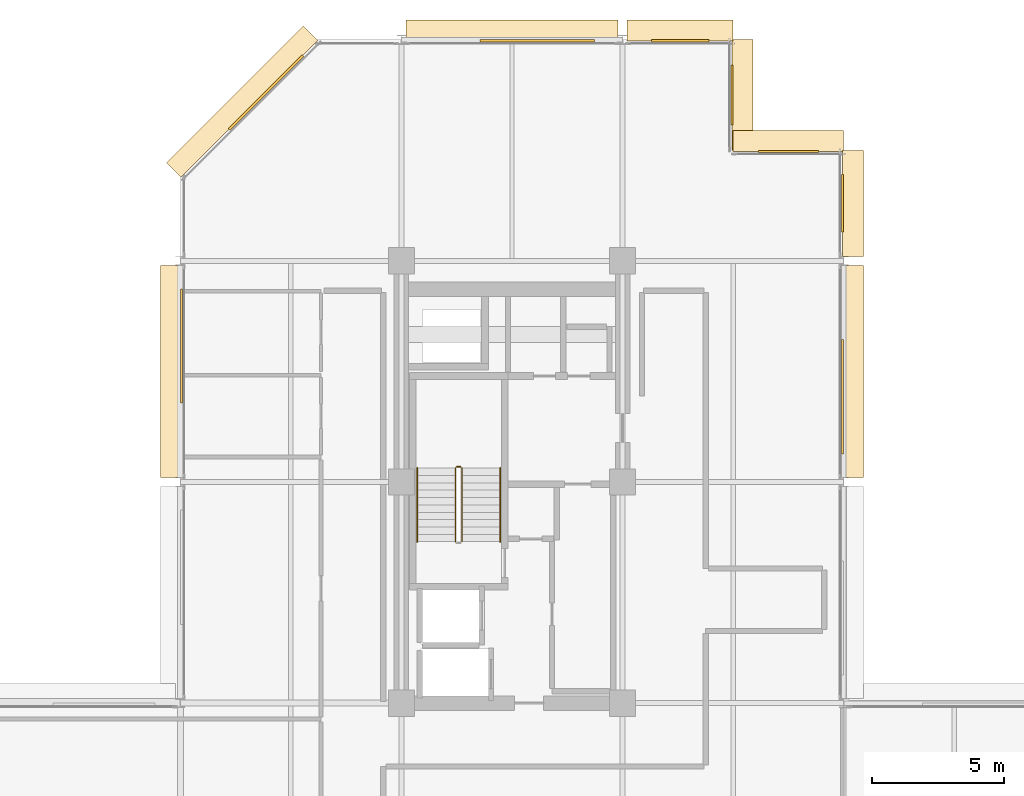
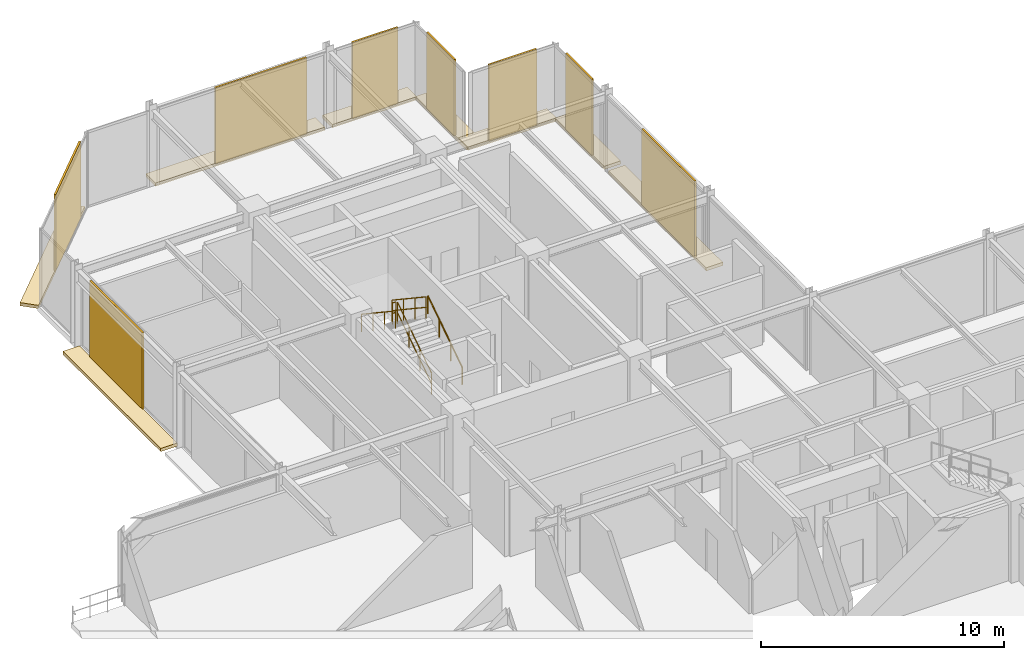
# One storey, part 29 of 29: 16 coverings, 5 railings.
"""IFC4 building model written with IfcOpenShell, lengths in metres."""

from ifc_helpers import new_model, si_unit, direction, frame, origin, origin_2d, place, context, subcontext, project, spatial, polyline, rectangle, circle, outline, extrude, material, layer, layer_set, type_object, element, save


model = new_model("IFC4")

# Units and contexts
model_context = context("Model", 3, precision=1e-05, world=origin(), true_north=direction((0.0, 1.0)))
body_context = subcontext(model_context, "Body", "Model", "MODEL_VIEW")
ifc_project = project(units=[si_unit("LENGTHUNIT", "METRE"), si_unit("AREAUNIT", "SQUARE_METRE"), si_unit("VOLUMEUNIT", "CUBIC_METRE"), si_unit("PLANEANGLEUNIT", "RADIAN"), si_unit("MASSUNIT", "GRAM", prefix="KILO")], contexts=[model_context])

# Site, building, storey
site_placement = place(None, origin())
site = spatial("IfcSite", under=ifc_project, at=site_placement, CompositionType="ELEMENT")
building_placement = place(site_placement, origin())
building = spatial("IfcBuilding", under=site, at=building_placement, Name="Nerrivon Quay Data Exchange", CompositionType="ELEMENT")
storey_placement = place(building_placement, frame((0.0, 0.0, 191.89990234375)))
storey = spatial("IfcBuildingStorey", under=building, at=storey_placement, Name="L45", CompositionType="ELEMENT", Elevation=191.89990234375)

# Coverings
ifc_material_1 = material(Name="Architectural terracotta ceramic", Category="masonry")
ifc_layer_1 = layer(ifc_material_1, 0.159912109375)
ifc_layer_set_1 = layer_set([ifc_layer_1], Name="Architectural terracotta ceramic")
covering_type_1 = type_object("IfcCoveringType", Name="COV-BLD-TERR", PredefinedType="CLADDING", material=ifc_layer_set_1)
covering_1_placement = place(storey_placement, frame((0.0, 0.0, -0.159912109375)))
element("IfcCovering", 1, at=covering_1_placement, inside=storey, type_object=covering_type_1, Name="L45 Horizontal Terracotta SOLAR SCREEN Blade", PredefinedType="CLADDING", context=body_context, shape_type="SweptSolid", body=[
    extrude(outline(polyline([(0.0400390625, 33.77490234375), (0.0400390625, 41.824951171875), (-0.75, 41.824951171875), (-0.75, 33.77490234375), (0.0400390625, 33.77490234375)])), origin(), (0.0, 0.0, 1.0), 0.159912109375),
])
covering_2_placement = place(storey_placement, frame((0.0, 0.0, -0.159912109375)))
element("IfcCovering", 2, at=covering_2_placement, inside=storey, type_object=covering_type_1, Name="L45 Horizontal Terracotta SOLAR SCREEN Blade", PredefinedType="CLADDING", context=body_context, shape_type="SweptSolid", body=[
    extrude(outline(polyline([(0.0283203125, 45.171630859375), (5.228271484375, 50.37158203125), (4.669677734375, 50.930419921875), (-0.5302734375, 45.730224609375), (0.0283203125, 45.171630859375)])), origin(), (0.0, 0.0, 1.0), 0.159912109375),
])
covering_3_placement = place(storey_placement, frame((0.0, 0.0, -0.159912109375)))
element("IfcCovering", 3, at=covering_3_placement, inside=storey, type_object=covering_type_1, Name="L45 Horizontal Terracotta SOLAR SCREEN Blade", PredefinedType="CLADDING", context=body_context, shape_type="SweptSolid", body=[
    extrude(outline(polyline([(8.574951171875, 50.360107421875), (16.625, 50.360107421875), (16.625, 51.14990234375), (8.574951171875, 51.14990234375), (8.574951171875, 50.360107421875)])), origin(), (0.0, 0.0, 1.0), 0.159912109375),
])
covering_4_placement = place(storey_placement, frame((0.0, 0.0, -0.159912109375)))
element("IfcCovering", 4, at=covering_4_placement, inside=storey, type_object=covering_type_1, Name="L45 Horizontal Terracotta SOLAR SCREEN Blade", PredefinedType="CLADDING", context=body_context, shape_type="SweptSolid", body=[
    extrude(outline(polyline([(16.97509765625, 50.360107421875), (21.0, 50.360107421875), (21.0, 51.14990234375), (16.97509765625, 51.14990234375), (16.97509765625, 50.360107421875)])), origin(), (0.0, 0.0, 1.0), 0.159912109375),
])
covering_5_placement = place(storey_placement, frame((0.0, 0.0, -0.159912109375)))
element("IfcCovering", 5, at=covering_5_placement, inside=storey, type_object=covering_type_1, Name="L45 Horizontal Terracotta SOLAR SCREEN Blade", PredefinedType="CLADDING", context=body_context, shape_type="SweptSolid", body=[
    extrude(outline(polyline([(20.9599609375, 50.39990234375), (20.9599609375, 46.199951171875), (21.75, 46.199951171875), (21.75, 50.39990234375), (20.9599609375, 50.39990234375)])), origin(), (0.0, 0.0, 1.0), 0.159912109375),
])
covering_6_placement = place(storey_placement, frame((0.0, 0.0, -0.159912109375)))
element("IfcCovering", 6, at=covering_6_placement, inside=storey, type_object=covering_type_1, Name="L45 Horizontal Terracotta SOLAR SCREEN Blade", PredefinedType="CLADDING", context=body_context, shape_type="SweptSolid", body=[
    extrude(outline(polyline([(21.0, 46.159912109375), (25.199951171875, 46.159912109375), (25.199951171875, 46.949951171875), (21.0, 46.949951171875), (21.0, 46.159912109375)])), origin(), (0.0, 0.0, 1.0), 0.159912109375),
])
covering_7_placement = place(storey_placement, frame((0.0, 0.0, -0.159912109375)))
element("IfcCovering", 7, at=covering_7_placement, inside=storey, type_object=covering_type_1, Name="L45 Horizontal Terracotta SOLAR SCREEN Blade", PredefinedType="CLADDING", context=body_context, shape_type="SweptSolid", body=[
    extrude(outline(polyline([(25.159912109375, 46.199951171875), (25.159912109375, 42.175048828125), (25.949951171875, 42.175048828125), (25.949951171875, 46.199951171875), (25.159912109375, 46.199951171875)])), origin(), (0.0, 0.0, 1.0), 0.159912109375),
])
covering_8_placement = place(storey_placement, frame((0.0, 0.0, -0.159912109375)))
element("IfcCovering", 8, at=covering_8_placement, inside=storey, type_object=covering_type_1, Name="L45 Horizontal Terracotta SOLAR SCREEN Blade", PredefinedType="CLADDING", context=body_context, shape_type="SweptSolid", body=[
    extrude(outline(polyline([(25.159912109375, 41.824951171875), (25.159912109375, 33.77490234375), (25.949951171875, 33.77490234375), (25.949951171875, 41.824951171875), (25.159912109375, 41.824951171875)])), origin(), (0.0, 0.0, 1.0), 0.159912109375),
])
ifc_layer_2 = layer(ifc_material_1, 0.090087890625)
ifc_layer_set_2 = layer_set([ifc_layer_2], Name="Architectural terracotta ceramic")
covering_type_2 = type_object("IfcCoveringType", Name="COV-SCR-TERR", PredefinedType="CLADDING", material=ifc_layer_set_2)
covering_9_placement = place(storey_placement, frame((0.044921875, 38.76611328125, 0.0), z_axis=(0.0, 0.0, 1.0), x_axis=(0.0, 1.0, 0.0)))
element("IfcCovering", 9, at=covering_9_placement, inside=storey, type_object=covering_type_2, Name="L45 Perforated Terracotta SOLAR SCREEN Cassette", PredefinedType="CLADDING", context=body_context, shape_type="SweptSolid", body=[
    extrude(rectangle(XDim=4.346923828125, YDim=0.090087890625, at=origin_2d()), origin(), (0.0, 0.0, 1.0), 3.824951171875),
])
covering_10_placement = place(storey_placement, frame((3.255859375, 48.39208984375, 0.0), z_axis=(0.0, 0.0, 1.0), x_axis=(0.707106781187, 0.707106781187, 0.0)))
element("IfcCovering", 10, at=covering_10_placement, inside=storey, type_object=covering_type_2, Name="L45 Perforated Terracotta SOLAR SCREEN Cassette", PredefinedType="CLADDING", context=body_context, shape_type="SweptSolid", body=[
    extrude(rectangle(XDim=3.970947265625, YDim=0.090087890625, at=origin_2d()), origin(), (0.0, 0.0, 1.0), 3.824951171875),
])
covering_11_placement = place(storey_placement, frame((13.56591796875, 50.35498046875, 0.0), z_axis=(0.0, 0.0, 1.0), x_axis=(1.0, 0.0, 0.0)))
element("IfcCovering", 11, at=covering_11_placement, inside=storey, type_object=covering_type_2, Name="L45 Perforated Terracotta SOLAR SCREEN Cassette", PredefinedType="CLADDING", context=body_context, shape_type="SweptSolid", body=[
    extrude(rectangle(XDim=4.346923828125, YDim=0.090087890625, at=origin_2d()), origin(), (0.0, 0.0, 1.0), 3.824951171875),
])
covering_12_placement = place(storey_placement, frame((18.987548828125, 50.35498046875, 0.0), z_axis=(0.0, 0.0, 1.0), x_axis=(1.0, 0.0, 0.0)))
element("IfcCovering", 12, at=covering_12_placement, inside=storey, type_object=covering_type_2, Name="L45 Perforated Terracotta SOLAR SCREEN Cassette", PredefinedType="CLADDING", context=body_context, shape_type="SweptSolid", body=[
    extrude(rectangle(XDim=2.173095703125, YDim=0.090087890625, at=origin_2d()), origin(), (0.0, 0.0, 1.0), 3.824951171875),
])
for number, where, z_axis, x_axis, name in (
    (13, (20.955078125, 48.300048828125, 0.0), (0.0, 0.0, 1.0), (0.0, -1.0, 0.0), "L45 Perforated Terracotta SOLAR SCREEN Cassette"),
    (14, (23.10009765625, 46.155029296875, 0.0), (0.0, 0.0, 1.0), (1.0, 0.0, 0.0), "L45 Perforated Terracotta SOLAR SCREEN Cassette"),
):
    element("IfcCovering", number, at=place(storey_placement, frame(where, z_axis=z_axis, x_axis=x_axis)), inside=storey, type_object=covering_type_2, Name=name, PredefinedType="CLADDING", context=body_context, shape_type="SweptSolid", body=[
        extrude(rectangle(XDim=2.26806640625, YDim=0.090087890625, at=origin_2d()), origin(), (0.0, 0.0, 1.0), 3.824951171875),
    ])
covering_13_placement = place(storey_placement, frame((25.155029296875, 44.1875, 0.0), z_axis=(0.0, 0.0, 1.0), x_axis=(0.0, -1.0, 0.0)))
element("IfcCovering", 15, at=covering_13_placement, inside=storey, type_object=covering_type_2, Name="L45 Perforated Terracotta SOLAR SCREEN Cassette", PredefinedType="CLADDING", context=body_context, shape_type="SweptSolid", body=[
    extrude(rectangle(XDim=2.174072265625, YDim=0.090087890625, at=origin_2d()), origin(), (0.0, 0.0, 1.0), 3.824951171875),
])
covering_14_placement = place(storey_placement, frame((25.155029296875, 36.833984375, 0.0), z_axis=(0.0, 0.0, 1.0), x_axis=(0.0, -1.0, 0.0)))
element("IfcCovering", 16, at=covering_14_placement, inside=storey, type_object=covering_type_2, Name="L45 Perforated Terracotta SOLAR SCREEN Cassette", PredefinedType="CLADDING", context=body_context, shape_type="SweptSolid", body=[
    extrude(rectangle(XDim=4.346923828125, YDim=0.090087890625, at=origin_2d()), origin(), (0.0, 0.0, 1.0), 3.824951171875),
])

# Railings
ifc_material_2 = material(Name="Steel Grade C350L0 (350 MPa)", Category="steel")
railing_type_1 = type_object("IfcRailingType", Name="RAIL-HAND-HR1", PredefinedType="HANDRAIL", material=ifc_material_2)
railing_1_placement = place(storey_placement, frame((12.14990234375, 31.330078125, 0.1865234375)))
element("IfcRailing", 17, at=railing_1_placement, inside=storey, type_object=railing_type_1, Name="L45 ST01 stair handrail 1", PredefinedType="HANDRAIL", context=body_context, shape_type="SweptSolid", body=[
    extrude(circle(Radius=0.02392578125, at=origin_2d()), frame((0.0, 0.0, 0.8759765625), z_axis=(0.0, 0.832463268671, 0.554080234545), x_axis=(-1.0, 0.0, 0.0)), (0.0, 0.0, 1.0), 3.36328125),
    extrude(circle(Radius=0.02099609375, at=origin_2d()), origin(), (0.0, 0.0, 1.0), 0.851806640625),
    extrude(circle(Radius=0.02099609375, at=origin_2d()), frame((0.0, 0.933349609375, 0.62109375)), (0.0, 0.0, 1.0), 0.851806640625),
    extrude(circle(Radius=0.02099609375, at=origin_2d()), frame((0.0, 1.866455078125, 1.242431640625)), (0.0, 0.0, 1.0), 0.851806640625),
    extrude(circle(Radius=0.02099609375, at=origin_2d()), frame((0.0, 2.7998046875, 1.863525390625)), (0.0, 0.0, 1.0), 0.851806640625),
])
railing_2_placement = place(storey_placement, frame((9.0, 34.1298828125, 2.236572265625)))
element("IfcRailing", 18, at=railing_2_placement, inside=storey, type_object=railing_type_1, Name="L45 ST01 stair handrail 2", PredefinedType="HANDRAIL", context=body_context, shape_type="SweptSolid", body=[
    extrude(circle(Radius=0.02392578125, at=origin_2d()), frame((0.0, 0.0, 0.8759765625), z_axis=(0.0, -0.832463268671, 0.554080234545), x_axis=(1.0, 0.0, 0.0)), (0.0, 0.0, 1.0), 3.36328125),
    extrude(circle(Radius=0.02099609375, at=origin_2d()), origin(), (0.0, 0.0, 1.0), 0.851806640625),
    extrude(circle(Radius=0.02099609375, at=origin_2d()), frame((0.0, -0.933349609375, 0.62109375)), (0.0, 0.0, 1.0), 0.851806640625),
    extrude(circle(Radius=0.02099609375, at=origin_2d()), frame((0.0, -1.866455078125, 1.242431640625)), (0.0, 0.0, 1.0), 0.851806640625),
    extrude(circle(Radius=0.02099609375, at=origin_2d()), frame((0.0, -2.7998046875, 1.863525390625)), (0.0, 0.0, 1.0), 0.851806640625),
])
railing_type_2 = type_object("IfcRailingType", Name="RAIL-STAIR-GR1", PredefinedType="BALUSTRADE", material=ifc_material_2)
railing_3_placement = place(storey_placement, frame((10.699951171875, 31.330078125, 0.1865234375)))
element("IfcRailing", 19, at=railing_3_placement, inside=storey, type_object=railing_type_2, Name="L45 ST01 stair guard 1", PredefinedType="BALUSTRADE", context=body_context, shape_type="SweptSolid", body=[
    extrude(circle(Radius=0.02392578125, at=origin_2d()), frame((0.0, 0.0, 1.076171875), z_axis=(0.0, 0.832463268671, 0.554080234545), x_axis=(-1.0, 0.0, 0.0)), (0.0, 0.0, 1.0), 3.36328125),
    extrude(circle(Radius=0.02392578125, at=origin_2d()), frame((0.0, 0.0, 0.550048828125), z_axis=(0.0, 0.832463268671, 0.554080234545), x_axis=(-1.0, 0.0, 0.0)), (0.0, 0.0, 1.0), 3.36328125),
    extrude(circle(Radius=0.02099609375, at=origin_2d()), origin(), (0.0, 0.0, 1.0), 1.052001953125),
    extrude(circle(Radius=0.02099609375, at=origin_2d()), frame((0.0, 0.933349609375, 0.62109375)), (0.0, 0.0, 1.0), 1.052001953125),
    extrude(circle(Radius=0.02099609375, at=origin_2d()), frame((0.0, 1.866455078125, 1.242431640625)), (0.0, 0.0, 1.0), 1.052001953125),
    extrude(circle(Radius=0.02099609375, at=origin_2d()), frame((0.0, 2.7998046875, 1.863525390625)), (0.0, 0.0, 1.0), 1.052001953125),
])
railing_4_placement = place(storey_placement, frame((10.64990234375, 34.179931640625, 2.050048828125)))
element("IfcRailing", 20, at=railing_4_placement, inside=storey, type_object=railing_type_2, Name="L45 ST01 stair guard 2", PredefinedType="BALUSTRADE", context=body_context, shape_type="SweptSolid", body=[
    extrude(circle(Radius=0.02392578125, at=origin_2d()), frame((0.0, 0.0, 1.076171875), z_axis=(-1.0, 0.0, 0.0), x_axis=(0.0, -1.0, 0.0)), (0.0, 0.0, 1.0), 0.14990234375),
    extrude(circle(Radius=0.02392578125, at=origin_2d()), frame((0.0, 0.0, 0.550048828125), z_axis=(-1.0, 0.0, 0.0), x_axis=(0.0, -1.0, 0.0)), (0.0, 0.0, 1.0), 0.14990234375),
    extrude(circle(Radius=0.02099609375, at=origin_2d()), origin(), (0.0, 0.0, 1.0), 1.052001953125),
    extrude(circle(Radius=0.02099609375, at=origin_2d()), frame((-0.14990234375, 0.0, 0.0)), (0.0, 0.0, 1.0), 1.052001953125),
])
railing_5_placement = place(storey_placement, frame((10.449951171875, 34.1298828125, 2.236572265625)))
element("IfcRailing", 21, at=railing_5_placement, inside=storey, type_object=railing_type_2, Name="L45 ST01 stair guard 3", PredefinedType="BALUSTRADE", context=body_context, shape_type="SweptSolid", body=[
    extrude(circle(Radius=0.02392578125, at=origin_2d()), frame((0.0, 0.0, 1.076171875), z_axis=(0.0, -0.832463268671, 0.554080234545), x_axis=(1.0, 0.0, 0.0)), (0.0, 0.0, 1.0), 3.36328125),
    extrude(circle(Radius=0.02392578125, at=origin_2d()), frame((0.0, 0.0, 0.550048828125), z_axis=(0.0, -0.832463268671, 0.554080234545), x_axis=(1.0, 0.0, 0.0)), (0.0, 0.0, 1.0), 3.36328125),
    extrude(circle(Radius=0.02099609375, at=origin_2d()), origin(), (0.0, 0.0, 1.0), 1.052001953125),
    extrude(circle(Radius=0.02099609375, at=origin_2d()), frame((0.0, -0.933349609375, 0.62109375)), (0.0, 0.0, 1.0), 1.052001953125),
    extrude(circle(Radius=0.02099609375, at=origin_2d()), frame((0.0, -1.866455078125, 1.242431640625)), (0.0, 0.0, 1.0), 1.052001953125),
    extrude(circle(Radius=0.02099609375, at=origin_2d()), frame((0.0, -2.7998046875, 1.863525390625)), (0.0, 0.0, 1.0), 1.052001953125),
])

save(model, "model.ifc")
